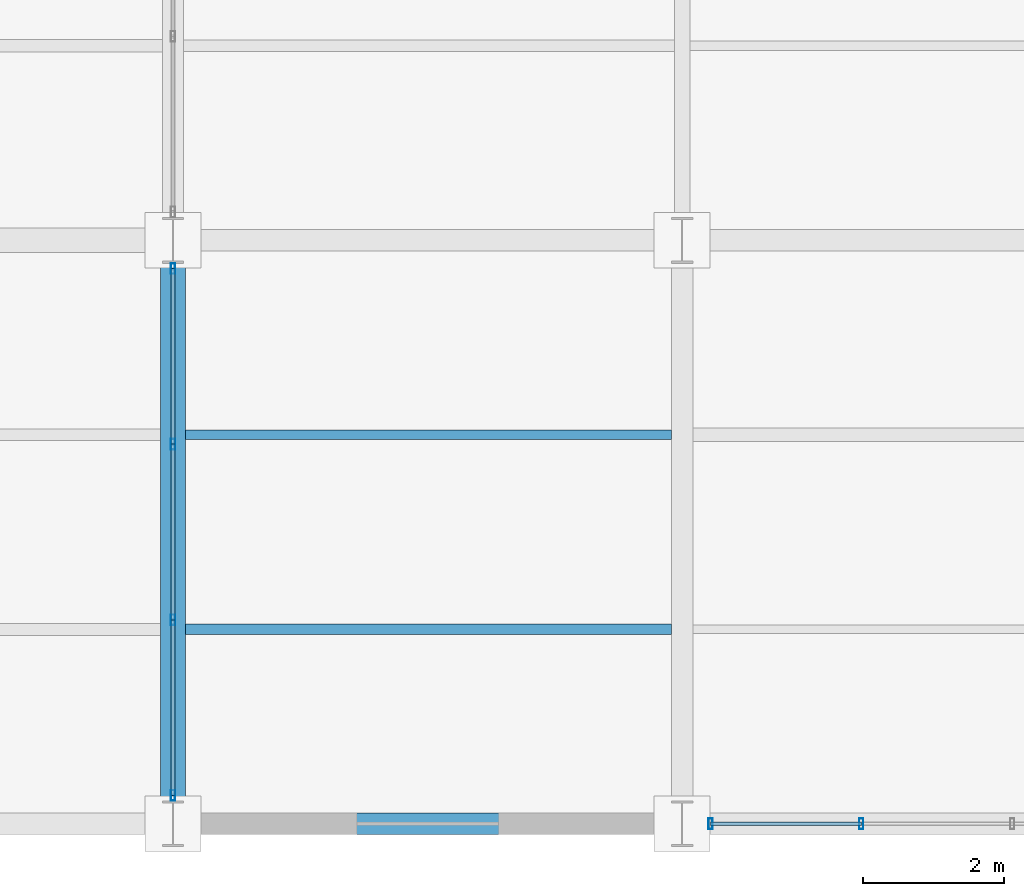
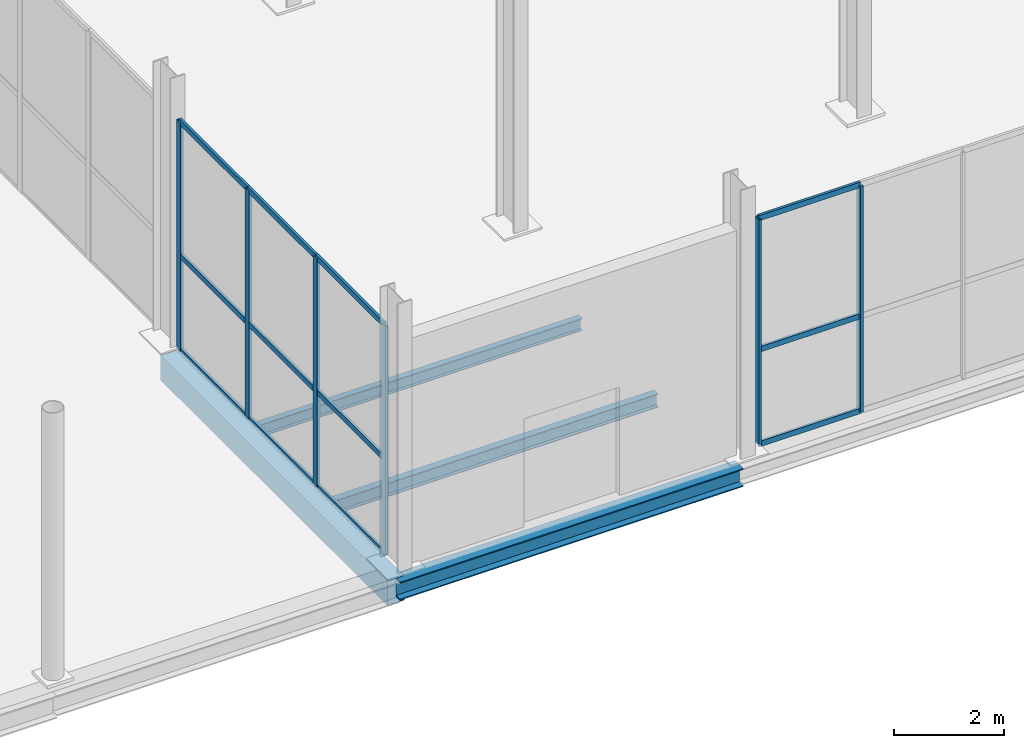
# One storey, part 24 of 144: 18 members, 4 beams, 2 elements without a shape of their own.
"""IFC4 building model written with IfcOpenShell, lengths in metres."""

import ifcopenshell
import ifcopenshell.guid

model = None  # the IFC model being written
_history = None  # IfcOwnerHistory: only IFC2X3 demands one
_inside = {}  # id of a spatial element -> (the spatial element, [elements in it])
_under = {}  # id of a project, library or spatial element -> (it, [spatial elements below it])
_declared = {}  # id of a project -> (the project, [libraries it declares])
_typed = {}  # id of a type object -> (the type object, [elements of that type])
_made_of = {}  # id of a material, layer set ... -> (it, [elements and type objects made of it])


def new_model(schema):
    """Start an empty IFC model of exactly this schema.

    Asked for "IFC4X3", IfcOpenShell would pick the latest addendum, in which some entities
    have other attributes; the version numbers below select the first issue.
    IFC2X3 requires an IfcOwnerHistory on every rooted entity: one is made here for all.
    """
    global model, _history
    if schema == "IFC4X3":
        model = ifcopenshell.file(schema_version=(4, 3, 0, 0))
    else:
        model = ifcopenshell.file(schema=schema)
    _inside.clear()
    _under.clear()
    _declared.clear()
    _typed.clear()
    _made_of.clear()
    _history = None
    if model.schema == "IFC2X3":
        org = make("IfcOrganization", Name="unknown")
        user = make(
            "IfcPersonAndOrganization",
            ThePerson=make("IfcPerson", FamilyName="unknown"),
            TheOrganization=org,
        )
        app = make(
            "IfcApplication",
            ApplicationDeveloper=org,
            Version="unknown",
            ApplicationFullName="unknown",
            ApplicationIdentifier="unknown",
        )
        _history = make(
            "IfcOwnerHistory",
            OwningUser=user,
            OwningApplication=app,
            ChangeAction="ADDED",
            CreationDate=0,
        )
    return model


def make(cls, **values):
    """One entity of the class cls with the attributes given. An attribute that is None is left unset."""
    return model.create_entity(
        cls, **{name: value for name, value in values.items() if value is not None}
    )


def rooted(cls, **values):
    """An entity with a GlobalId (a new one), such as an element, a storey or a relation."""
    return make(cls, GlobalId=ifcopenshell.guid.new(), OwnerHistory=_history, **values)


def si_unit(unit_type, name, prefix=None):
    """IfcSIUnit, for example si_unit("LENGTHUNIT", "METRE", prefix="MILLI")."""
    return make("IfcSIUnit", UnitType=unit_type, Prefix=prefix, Name=name)


def assignment(units):
    """IfcUnitAssignment: the units of a project."""
    return None if units is None else make("IfcUnitAssignment", Units=units)


def point(xyz):
    """IfcCartesianPoint."""
    return None if xyz is None else make("IfcCartesianPoint", Coordinates=xyz)


def direction(xyz):
    """IfcDirection."""
    return None if xyz is None else make("IfcDirection", DirectionRatios=xyz)


def frame(location, z_axis=None, x_axis=None):
    """IfcAxis2Placement3D, a coordinate frame: its origin and axes. An axis left out is left unset."""
    return make(
        "IfcAxis2Placement3D",
        Location=point(location),
        Axis=direction(z_axis),
        RefDirection=direction(x_axis),
    )


def frame_2d(location, x_axis=None):
    """IfcAxis2Placement2D, a coordinate frame in the plane: its origin and x axis."""
    return make(
        "IfcAxis2Placement2D", Location=point(location), RefDirection=direction(x_axis)
    )


def origin():
    """The frame at (0, 0, 0) with its axes left unset."""
    return frame((0.0, 0.0, 0.0))


def origin_2d():
    """The frame at (0, 0) in the plane with its x axis left unset."""
    return frame_2d((0.0, 0.0))


def place(relative_to, where):
    """IfcLocalPlacement: puts the frame where relative to a parent placement (None: the world)."""
    return make(
        "IfcLocalPlacement", PlacementRelTo=relative_to, RelativePlacement=where
    )


def context(
    kind, dimensions, precision=None, world=None, true_north=None, identifier=None
):
    """IfcGeometricRepresentationContext, for example the 3D "Model" context."""
    return make(
        "IfcGeometricRepresentationContext",
        ContextIdentifier=identifier,
        ContextType=kind,
        CoordinateSpaceDimension=dimensions,
        Precision=precision,
        WorldCoordinateSystem=world,
        TrueNorth=true_north,
    )


def subcontext(parent, identifier, kind, view, scale=None):
    """IfcGeometricRepresentationSubContext, for example "Body" below "Model"."""
    return make(
        "IfcGeometricRepresentationSubContext",
        ContextIdentifier=identifier,
        ContextType=kind,
        ParentContext=parent,
        TargetScale=scale,
        TargetView=view,
    )


def project(units=None, contexts=None):
    """IfcProject with its units and contexts."""
    return rooted(
        "IfcProject",
        Name="project",
        RepresentationContexts=contexts,
        UnitsInContext=assignment(units),
    )


def spatial(cls, under=None, at=None, **own):
    """A site, building, storey or space (cls), placed at a placement, below another one or the project."""
    s = rooted(cls, ObjectPlacement=at, **own)
    if under is not None:
        _under.setdefault(under.id(), (under, []))[1].append(s)
    return s


def profile(cls, at=None, kind="AREA", **sizes):
    """A parametric profile (cls). Its sizes go by their IFC names, for example OverallWidth=200.0."""
    return make(cls, ProfileType=kind, Position=at, **sizes)


def rectangle(**sizes):
    """IfcRectangleProfileDef."""
    return profile("IfcRectangleProfileDef", **sizes)


def hollow_rectangle(**sizes):
    """IfcRectangleHollowProfileDef."""
    return profile("IfcRectangleHollowProfileDef", **sizes)


def i_section(**sizes):
    """IfcIShapeProfileDef."""
    return profile("IfcIShapeProfileDef", **sizes)


def extrude(swept, where, along, depth):
    """IfcExtrudedAreaSolid: the profile swept, set in the frame where, extruded along a direction by depth."""
    return make(
        "IfcExtrudedAreaSolid",
        SweptArea=swept,
        Position=where,
        ExtrudedDirection=direction(along),
        Depth=depth,
    )


def shape(context_of_items, identifier, shape_type, items):
    """IfcShapeRepresentation: the items that make up one representation, for example the "Body"."""
    return make(
        "IfcShapeRepresentation",
        ContextOfItems=context_of_items,
        RepresentationIdentifier=identifier,
        RepresentationType=shape_type,
        Items=items,
    )


def material(Name=None, Category=None):
    """IfcMaterial."""
    return make("IfcMaterial", Name=Name, Category=Category)


def layer(
    of_material, thickness, ventilated=None, Name=None, Category=None, Priority=None
):
    """IfcMaterialLayer: one layer of a wall or slab, of a material (None: an air gap)."""
    return make(
        "IfcMaterialLayer",
        Material=of_material,
        LayerThickness=thickness,
        IsVentilated=ventilated,
        Name=Name,
        Category=Category,
        Priority=Priority,
    )


def layer_set(layers, Name=None):
    """IfcMaterialLayerSet."""
    return make("IfcMaterialLayerSet", MaterialLayers=layers, LayerSetName=Name)


def material_profile(
    of_material, cross_section, Name=None, Category=None, Priority=None
):
    """IfcMaterialProfile: a cross section and its material."""
    return make(
        "IfcMaterialProfile",
        Name=Name,
        Material=of_material,
        Profile=cross_section,
        Priority=Priority,
        Category=Category,
    )


def profile_set(profiles, Name=None, composite=None):
    """IfcMaterialProfileSet."""
    return make(
        "IfcMaterialProfileSet",
        Name=Name,
        MaterialProfiles=profiles,
        CompositeProfile=composite,
    )


def made_of(thing, what):
    """Note that an element or type object is made of a material, layer set ...; save() writes the relation."""
    if what is not None:
        _made_of.setdefault(what.id(), (what, []))[1].append(thing)
    return thing


def type_object(cls, material=None, **own):
    """A type object (cls), such as IfcWallType, which elements share."""
    return made_of(rooted(cls, **own), material)


def element(
    cls,
    number,
    at=None,
    inside=None,
    cuts=None,
    type_object=None,
    material=None,
    context=None,
    identifier="Body",
    shape_type=None,
    held_by="IfcProductDefinitionShape",
    body=None,
    shapes=None,
    **own,
):
    """One element of the class cls, such as IfcWall. Its Tag is "e" and its number.

    at: its placement. inside: the storey or other place that contains it. cuts: it is an
    opening in that element (IfcRelVoidsElement). A single representation is given by context,
    identifier, shape_type and body (its items); several are given by shapes. held_by: the class
    of the entity that holds the representations. save() writes the other relations.
    """
    e = rooted(cls, Tag="e%d" % number, ObjectPlacement=at, **own)
    if body is not None:
        shapes = [shape(context, identifier, shape_type, body)]
    if shapes is not None:
        e.Representation = make(held_by, Representations=shapes)
    if inside is not None:
        _inside.setdefault(inside.id(), (inside, []))[1].append(e)
    if cuts is not None:
        rooted(
            "IfcRelVoidsElement", RelatingBuildingElement=cuts, RelatedOpeningElement=e
        )
    if type_object is not None:
        _typed.setdefault(type_object.id(), (type_object, []))[1].append(e)
    return made_of(e, material)


def aggregate(whole, parts):
    """IfcRelAggregates: a whole, such as a stair, and the parts it consists of."""
    return rooted("IfcRelAggregates", RelatingObject=whole, RelatedObjects=parts)


def save(model, path):
    """Write the relations noted so far, then the file.

    IfcRelAggregates (storeys below a building ...), IfcRelContainedInSpatialStructure (elements
    in a storey), IfcRelDefinesByType, IfcRelAssociatesMaterial and IfcRelDeclares: one each for
    every whole, place, type object, material and project.
    """
    for whole, parts in _under.values():
        aggregate(whole, parts)
    for where, things in _inside.values():
        rooted(
            "IfcRelContainedInSpatialStructure",
            RelatedElements=things,
            RelatingStructure=where,
        )
    for kind, things in _typed.values():
        rooted("IfcRelDefinesByType", RelatedObjects=things, RelatingType=kind)
    for what, things in _made_of.values():
        rooted("IfcRelAssociatesMaterial", RelatedObjects=things, RelatingMaterial=what)
    for by, libraries in _declared.values():
        rooted("IfcRelDeclares", RelatingContext=by, RelatedDefinitions=libraries)
    model.write(path)


model = new_model("IFC4")

# Units and contexts
model_context = context("Model", 3, precision=1e-05, world=origin(), true_north=direction((0.0, 1.0)))
body_context = subcontext(model_context, "Body", "Model", "MODEL_VIEW")
ifc_project = project(units=[si_unit("LENGTHUNIT", "METRE"), si_unit("AREAUNIT", "SQUARE_METRE"), si_unit("VOLUMEUNIT", "CUBIC_METRE"), si_unit("PLANEANGLEUNIT", "RADIAN"), si_unit("MASSUNIT", "GRAM", prefix="KILO")], contexts=[model_context])

# Site, building, storey
site_placement = place(None, origin())
site = spatial("IfcSite", under=ifc_project, at=site_placement, CompositionType="ELEMENT")
building_placement = place(site_placement, origin())
building = spatial("IfcBuilding", under=site, at=building_placement, Name="Sundgate Opera House", CompositionType="ELEMENT")
storey_placement = place(building_placement, origin())
storey = spatial("IfcBuildingStorey", under=building, at=storey_placement, Name="L00", CompositionType="ELEMENT", Elevation=0.0)

# Beams
ifc_material_1 = material(Name="Steel S355J2", Category="steel")
ifc_material_profile_1 = material_profile(ifc_material_1, i_section(OverallWidth=0.300048828125, OverallDepth=0.39990234375, WebThickness=0.013427734375, FlangeThickness=0.02392578125, at=origin_2d()), Name="HEB 400")
ifc_profile_set_1 = profile_set([ifc_material_profile_1], Name="Steel S355J2")
beam_type_1 = type_object("IfcBeamType", Name="BM-GR-HEB400", PredefinedType="BEAM", material=ifc_profile_set_1)
beam_1_placement = place(storey_placement, frame((95.39990234375, 0.0, -0.52001953125), z_axis=(1.0, 0.0, 0.0), x_axis=(0.0, 1.0, 0.0)))
element("IfcBeam", 1, at=beam_1_placement, inside=storey, type_object=beam_type_1, Name="L00 Primary E-W Girder B0328", PredefinedType="BEAM", context=body_context, shape_type="SweptSolid", body=[
    extrude(i_section(OverallWidth=0.300048828125, OverallDepth=0.39990234375, WebThickness=0.013427734375, FlangeThickness=0.02392578125, at=origin_2d()), origin(), (0.0, 0.0, 1.0), 7.2001953125),
])
ifc_material_2 = material(Name="Steel S355J2", Category="steel")
ifc_material_profile_2 = material_profile(ifc_material_2, i_section(OverallWidth=0.135009765625, OverallDepth=0.27001953125, WebThickness=0.006591796875, FlangeThickness=0.01025390625, at=origin_2d()), Name="IPE 270")
ifc_profile_set_2 = profile_set([ifc_material_profile_2], Name="Steel S355J2")
beam_type_2 = type_object("IfcBeamType", Name="BM-JS-IPE270", PredefinedType="JOIST", material=ifc_profile_set_2)
beam_2_placement = place(storey_placement, frame((95.574951171875, 5.5, -0.455078125), z_axis=(1.0, 0.0, 0.0), x_axis=(0.0, 1.0, 0.0)))
element("IfcBeam", 2, at=beam_2_placement, inside=storey, type_object=beam_type_2, Name="L00 Secondary Floor Joist B0614", PredefinedType="JOIST", context=body_context, shape_type="SweptSolid", body=[
    extrude(i_section(OverallWidth=0.135009765625, OverallDepth=0.27001953125, WebThickness=0.006591796875, FlangeThickness=0.01025390625, at=origin_2d()), origin(), (0.0, 0.0, 1.0), 6.875),
])
ifc_material_3 = material(Name="Steel S355J2", Category="steel")
ifc_material_profile_3 = material_profile(ifc_material_3, i_section(OverallWidth=0.14990234375, OverallDepth=0.300048828125, WebThickness=0.007080078125, FlangeThickness=0.0107421875, at=origin_2d()), Name="IPE 300")
ifc_profile_set_3 = profile_set([ifc_material_profile_3], Name="Steel S355J2")
beam_type_3 = type_object("IfcBeamType", Name="BM-JS-IPE300", PredefinedType="JOIST", material=ifc_profile_set_3)
beam_3_placement = place(storey_placement, frame((95.574951171875, 2.75, -0.469970703125), z_axis=(1.0, 0.0, 0.0), x_axis=(0.0, 1.0, 0.0)))
element("IfcBeam", 3, at=beam_3_placement, inside=storey, type_object=beam_type_3, Name="L00 Secondary Floor Joist B0613", PredefinedType="JOIST", context=body_context, shape_type="SweptSolid", body=[
    extrude(i_section(OverallWidth=0.14990234375, OverallDepth=0.300048828125, WebThickness=0.007080078125, FlangeThickness=0.0107421875, at=origin_2d()), origin(), (0.0, 0.0, 1.0), 6.875),
])
ifc_material_4 = material(Name="Concrete C35/45", Category="concrete")
ifc_material_profile_4 = material_profile(ifc_material_4, rectangle(XDim=0.35009765625, YDim=0.550048828125, at=origin_2d()), Name="RC 350x550")
ifc_profile_set_4 = profile_set([ifc_material_profile_4], Name="Concrete C35/45")
beam_type_4 = type_object("IfcBeamType", Name="BM-RC-350x550", PredefinedType="BEAM", material=ifc_profile_set_4)
beam_4_placement = place(storey_placement, frame((95.39990234375, 0.0, -0.594970703125), z_axis=(0.0, 1.0, 0.0), x_axis=(-1.0, 0.0, 0.0)))
element("IfcBeam", 4, at=beam_4_placement, inside=storey, type_object=beam_type_4, Name="L00 Primary N-S Girder B0190", PredefinedType="BEAM", context=body_context, shape_type="SweptSolid", body=[
    extrude(rectangle(XDim=0.35009765625, YDim=0.550048828125, at=origin_2d()), origin(), (0.0, 0.0, 1.0), 8.25),
])

# Curtain wall, members
ifc_material_5 = material(Name="Anodized aluminium and low-iron glass", Category="aluminium")
ifc_layer = layer(ifc_material_5, 0.14990234375)
ifc_layer_set = layer_set([ifc_layer], Name="Anodized aluminium and low-iron glass")
curtain_wall_type = type_object("IfcCurtainWallType", Name="CW-WORKSHOP-DARK", PredefinedType="NOTDEFINED", material=ifc_layer_set)
curtain_wall_1_placement = place(storey_placement, origin())
curtain_wall_1 = element("IfcCurtainWall", 5, at=curtain_wall_1_placement, inside=storey, type_object=curtain_wall_type, Name="L00 Curtain Wall CW122", PredefinedType="NOTDEFINED")
ifc_material_6 = material(Name="Anodized aluminium EN AW-6063", Category="aluminium")
ifc_material_profile_5 = material_profile(ifc_material_6, hollow_rectangle(XDim=0.06005859375, YDim=0.14990234375, WallThickness=0.00390625, at=origin_2d()), Name="CWM 150x60x4")
ifc_profile_set_5 = profile_set([ifc_material_profile_5], Name="Anodized aluminium EN AW-6063")
member_type_1 = type_object("IfcMemberType", Name="CWM-ALU-150x60", PredefinedType="MULLION", material=ifc_profile_set_5)
member_1_placement = place(storey_placement, frame((105.13330078125, 0.0, 0.0), z_axis=(0.0, 0.0, 1.0), x_axis=(1.0, 0.0, 0.0)))
member_1 = element("IfcMember", 6, at=member_1_placement, type_object=member_type_1, Name="CW122 Mullion 3", PredefinedType="MULLION", context=body_context, shape_type="SweptSolid", body=[
    extrude(hollow_rectangle(XDim=0.06005859375, YDim=0.14990234375, WallThickness=0.00390625, at=origin_2d()), origin(), (0.0, 0.0, 1.0), 5.014892578125),
])
member_2_placement = place(storey_placement, frame((103.0, 0.0, 0.0), z_axis=(0.0, 0.0, 1.0), x_axis=(1.0, 0.0, 0.0)))
member_2 = element("IfcMember", 7, at=member_2_placement, type_object=member_type_1, Name="CW122 Mullion 4", PredefinedType="MULLION", context=body_context, shape_type="SweptSolid", body=[
    extrude(hollow_rectangle(XDim=0.06005859375, YDim=0.14990234375, WallThickness=0.00390625, at=origin_2d()), origin(), (0.0, 0.0, 1.0), 5.014892578125),
])

curtain_wall_2_placement = place(storey_placement, origin())
curtain_wall_2 = element("IfcCurtainWall", 8, at=curtain_wall_2_placement, inside=storey, type_object=curtain_wall_type, Name="L00 Curtain Wall CW131", PredefinedType="NOTDEFINED")
member_3_placement = place(storey_placement, frame((95.39990234375, 7.85009765625, 0.0), z_axis=(0.0, 0.0, 1.0), x_axis=(1.0, 0.0, 0.0)))
member_3 = element("IfcMember", 9, at=member_3_placement, type_object=member_type_1, Name="CW131 Mullion 1", PredefinedType="MULLION", context=body_context, shape_type="SweptSolid", body=[
    extrude(hollow_rectangle(XDim=0.06005859375, YDim=0.14990234375, WallThickness=0.00390625, at=origin_2d()), origin(), (0.0, 0.0, 1.0), 5.06494140625),
])
member_4_placement = place(storey_placement, frame((95.39990234375, 5.36669921875, 0.0), z_axis=(0.0, 0.0, 1.0), x_axis=(1.0, 0.0, 0.0)))
member_4 = element("IfcMember", 10, at=member_4_placement, type_object=member_type_1, Name="CW131 Mullion 2", PredefinedType="MULLION", context=body_context, shape_type="SweptSolid", body=[
    extrude(hollow_rectangle(XDim=0.06005859375, YDim=0.14990234375, WallThickness=0.00390625, at=origin_2d()), origin(), (0.0, 0.0, 1.0), 5.06494140625),
])
member_5_placement = place(storey_placement, frame((95.39990234375, 2.88330078125, 0.0), z_axis=(0.0, 0.0, 1.0), x_axis=(1.0, 0.0, 0.0)))
member_5 = element("IfcMember", 11, at=member_5_placement, type_object=member_type_1, Name="CW131 Mullion 3", PredefinedType="MULLION", context=body_context, shape_type="SweptSolid", body=[
    extrude(hollow_rectangle(XDim=0.06005859375, YDim=0.14990234375, WallThickness=0.00390625, at=origin_2d()), origin(), (0.0, 0.0, 1.0), 5.06494140625),
])
member_6_placement = place(storey_placement, frame((95.39990234375, 0.39990234375, 0.0), z_axis=(0.0, 0.0, 1.0), x_axis=(1.0, 0.0, 0.0)))
member_6 = element("IfcMember", 12, at=member_6_placement, type_object=member_type_1, Name="CW131 Mullion 4", PredefinedType="MULLION", context=body_context, shape_type="SweptSolid", body=[
    extrude(hollow_rectangle(XDim=0.06005859375, YDim=0.14990234375, WallThickness=0.00390625, at=origin_2d()), origin(), (0.0, 0.0, 1.0), 5.06494140625),
])

# Member
ifc_material_7 = material(Name="Anodized aluminium EN AW-6063", Category="aluminium")
ifc_material_profile_6 = material_profile(ifc_material_7, hollow_rectangle(XDim=0.054931640625, YDim=0.1201171875, WallThickness=0.00390625, at=origin_2d()), Name="CWT 120x55x4")
ifc_profile_set_6 = profile_set([ifc_material_profile_6], Name="Anodized aluminium EN AW-6063")
member_type_2 = type_object("IfcMemberType", Name="CWT-ALU-120x55", PredefinedType="USERDEFINED", material=ifc_profile_set_6)
member_7_placement = place(storey_placement, frame((105.13330078125, 0.0, 0.0), z_axis=(-1.0, 0.0, 0.0), x_axis=(0.0, -1.0, 0.0)))
member_7 = element("IfcMember", 13, at=member_7_placement, type_object=member_type_2, Name="CW122 Transom 7", ObjectType="TRANSOM", PredefinedType="USERDEFINED", context=body_context, shape_type="SweptSolid", body=[
    extrude(hollow_rectangle(XDim=0.054931640625, YDim=0.1201171875, WallThickness=0.00390625, at=origin_2d()), origin(), (0.0, 0.0, 1.0), 2.13330078125),
])

member_8_placement = place(storey_placement, frame((105.13330078125, 0.0, 2.10009765625), z_axis=(-1.0, 0.0, 0.0), x_axis=(0.0, -1.0, 0.0)))
member_8 = element("IfcMember", 14, at=member_8_placement, type_object=member_type_2, Name="CW122 Transom 8", ObjectType="TRANSOM", PredefinedType="USERDEFINED", context=body_context, shape_type="SweptSolid", body=[
    extrude(hollow_rectangle(XDim=0.054931640625, YDim=0.1201171875, WallThickness=0.00390625, at=origin_2d()), origin(), (0.0, 0.0, 1.0), 2.13330078125),
])

member_9_placement = place(storey_placement, frame((105.13330078125, 0.0, 5.014892578125), z_axis=(-1.0, 0.0, 0.0), x_axis=(0.0, -1.0, 0.0)))
member_9 = element("IfcMember", 15, at=member_9_placement, type_object=member_type_2, Name="CW122 Transom 9", ObjectType="TRANSOM", PredefinedType="USERDEFINED", context=body_context, shape_type="SweptSolid", body=[
    extrude(hollow_rectangle(XDim=0.054931640625, YDim=0.1201171875, WallThickness=0.00390625, at=origin_2d()), origin(), (0.0, 0.0, 1.0), 2.13330078125),
])

aggregate(curtain_wall_1, [member_1, member_2, member_7, member_8, member_9])

member_10_placement = place(storey_placement, frame((95.39990234375, 7.85009765625, 0.0), z_axis=(0.0, -1.0, 0.0), x_axis=(1.0, 0.0, 0.0)))
member_10 = element("IfcMember", 16, at=member_10_placement, type_object=member_type_2, Name="CW131 Transom 1", ObjectType="TRANSOM", PredefinedType="USERDEFINED", context=body_context, shape_type="SweptSolid", body=[
    extrude(hollow_rectangle(XDim=0.054931640625, YDim=0.1201171875, WallThickness=0.00390625, at=origin_2d()), origin(), (0.0, 0.0, 1.0), 2.4833984375),
])

member_11_placement = place(storey_placement, frame((95.39990234375, 7.85009765625, 2.10009765625), z_axis=(0.0, -1.0, 0.0), x_axis=(1.0, 0.0, 0.0)))
member_11 = element("IfcMember", 17, at=member_11_placement, type_object=member_type_2, Name="CW131 Transom 2", ObjectType="TRANSOM", PredefinedType="USERDEFINED", context=body_context, shape_type="SweptSolid", body=[
    extrude(hollow_rectangle(XDim=0.054931640625, YDim=0.1201171875, WallThickness=0.00390625, at=origin_2d()), origin(), (0.0, 0.0, 1.0), 2.4833984375),
])

member_12_placement = place(storey_placement, frame((95.39990234375, 7.85009765625, 5.06494140625), z_axis=(0.0, -1.0, 0.0), x_axis=(1.0, 0.0, 0.0)))
member_12 = element("IfcMember", 18, at=member_12_placement, type_object=member_type_2, Name="CW131 Transom 3", ObjectType="TRANSOM", PredefinedType="USERDEFINED", context=body_context, shape_type="SweptSolid", body=[
    extrude(hollow_rectangle(XDim=0.054931640625, YDim=0.1201171875, WallThickness=0.00390625, at=origin_2d()), origin(), (0.0, 0.0, 1.0), 2.4833984375),
])

member_13_placement = place(storey_placement, frame((95.39990234375, 5.36669921875, 0.0), z_axis=(0.0, -1.0, 0.0), x_axis=(1.0, 0.0, 0.0)))
member_13 = element("IfcMember", 19, at=member_13_placement, type_object=member_type_2, Name="CW131 Transom 4", ObjectType="TRANSOM", PredefinedType="USERDEFINED", context=body_context, shape_type="SweptSolid", body=[
    extrude(hollow_rectangle(XDim=0.054931640625, YDim=0.1201171875, WallThickness=0.00390625, at=origin_2d()), origin(), (0.0, 0.0, 1.0), 2.4833984375),
])

member_14_placement = place(storey_placement, frame((95.39990234375, 5.36669921875, 2.10009765625), z_axis=(0.0, -1.0, 0.0), x_axis=(1.0, 0.0, 0.0)))
member_14 = element("IfcMember", 20, at=member_14_placement, type_object=member_type_2, Name="CW131 Transom 5", ObjectType="TRANSOM", PredefinedType="USERDEFINED", context=body_context, shape_type="SweptSolid", body=[
    extrude(hollow_rectangle(XDim=0.054931640625, YDim=0.1201171875, WallThickness=0.00390625, at=origin_2d()), origin(), (0.0, 0.0, 1.0), 2.4833984375),
])

member_15_placement = place(storey_placement, frame((95.39990234375, 5.36669921875, 5.06494140625), z_axis=(0.0, -1.0, 0.0), x_axis=(1.0, 0.0, 0.0)))
member_15 = element("IfcMember", 21, at=member_15_placement, type_object=member_type_2, Name="CW131 Transom 6", ObjectType="TRANSOM", PredefinedType="USERDEFINED", context=body_context, shape_type="SweptSolid", body=[
    extrude(hollow_rectangle(XDim=0.054931640625, YDim=0.1201171875, WallThickness=0.00390625, at=origin_2d()), origin(), (0.0, 0.0, 1.0), 2.4833984375),
])

member_16_placement = place(storey_placement, frame((95.39990234375, 2.88330078125, 0.0), z_axis=(0.0, -1.0, 0.0), x_axis=(1.0, 0.0, 0.0)))
member_16 = element("IfcMember", 22, at=member_16_placement, type_object=member_type_2, Name="CW131 Transom 7", ObjectType="TRANSOM", PredefinedType="USERDEFINED", context=body_context, shape_type="SweptSolid", body=[
    extrude(hollow_rectangle(XDim=0.054931640625, YDim=0.1201171875, WallThickness=0.00390625, at=origin_2d()), origin(), (0.0, 0.0, 1.0), 2.4833984375),
])

member_17_placement = place(storey_placement, frame((95.39990234375, 2.88330078125, 2.10009765625), z_axis=(0.0, -1.0, 0.0), x_axis=(1.0, 0.0, 0.0)))
member_17 = element("IfcMember", 23, at=member_17_placement, type_object=member_type_2, Name="CW131 Transom 8", ObjectType="TRANSOM", PredefinedType="USERDEFINED", context=body_context, shape_type="SweptSolid", body=[
    extrude(hollow_rectangle(XDim=0.054931640625, YDim=0.1201171875, WallThickness=0.00390625, at=origin_2d()), origin(), (0.0, 0.0, 1.0), 2.4833984375),
])

member_18_placement = place(storey_placement, frame((95.39990234375, 2.88330078125, 5.06494140625), z_axis=(0.0, -1.0, 0.0), x_axis=(1.0, 0.0, 0.0)))
member_18 = element("IfcMember", 24, at=member_18_placement, type_object=member_type_2, Name="CW131 Transom 9", ObjectType="TRANSOM", PredefinedType="USERDEFINED", context=body_context, shape_type="SweptSolid", body=[
    extrude(hollow_rectangle(XDim=0.054931640625, YDim=0.1201171875, WallThickness=0.00390625, at=origin_2d()), origin(), (0.0, 0.0, 1.0), 2.4833984375),
])

aggregate(curtain_wall_2, [member_3, member_4, member_5, member_6, member_10, member_11, member_12, member_13, member_14, member_15, member_16, member_17, member_18])

save(model, "model.ifc")
